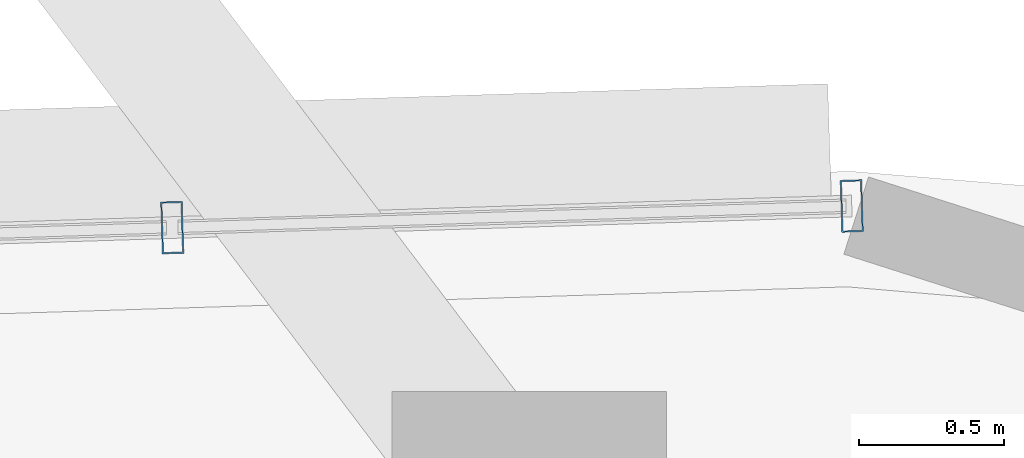
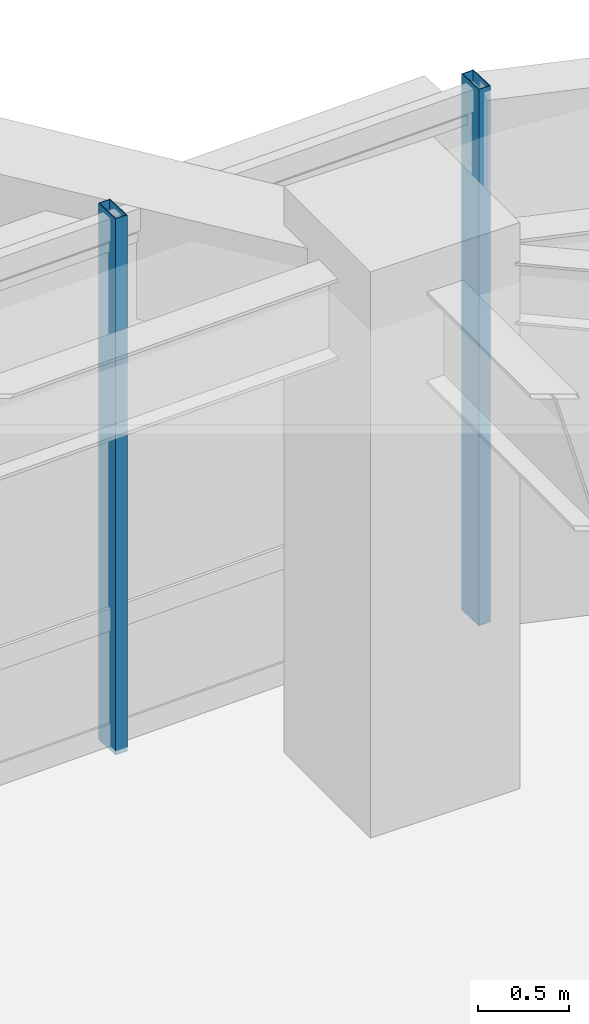
# One storey, part 4 of 12: 2 members, 1 element without a shape of its own.
"""IFC4 building model written with IfcOpenShell, lengths in metres."""

from ifc_helpers import new_model, si_unit, direction, frame, origin, origin_2d, place, context, subcontext, project, spatial, hollow_rectangle, extrude, material, material_profile, profile_set, type_object, element, aggregate, save


model = new_model("IFC4")

# Units and contexts
model_context = context("Model", 3, precision=1e-05, world=origin(), true_north=direction((0.0, 1.0)))
body_context = subcontext(model_context, "Body", "Model", "MODEL_VIEW")
ifc_project = project(units=[si_unit("LENGTHUNIT", "METRE"), si_unit("AREAUNIT", "SQUARE_METRE"), si_unit("VOLUMEUNIT", "CUBIC_METRE"), si_unit("PLANEANGLEUNIT", "RADIAN"), si_unit("MASSUNIT", "GRAM", prefix="KILO")], contexts=[model_context])

# Site, building, storey
site_placement = place(None, origin())
site = spatial("IfcSite", under=ifc_project, at=site_placement, CompositionType="ELEMENT")
building_placement = place(site_placement, origin())
building = spatial("IfcBuilding", under=site, at=building_placement, Name="Zulverin Broadcast Headquarters", CompositionType="ELEMENT")
storey_placement = place(building_placement, frame((0.0, 0.0, 170.60009765625)))
storey = spatial("IfcBuildingStorey", under=building, at=storey_placement, Name="L43", CompositionType="ELEMENT", Elevation=170.60009765625)

# Curtain wall, members
ifc_material_1 = material(Name="Waist wind-pressure unitised curtain wall", Category="aluminium")
curtain_wall_type = type_object("IfcCurtainWallType", Name="CW-TWR-WST", PredefinedType="USERDEFINED", material=ifc_material_1)
curtain_wall_placement = place(storey_placement, origin())
curtain_wall = element("IfcCurtainWall", 1, at=curtain_wall_placement, inside=storey, type_object=curtain_wall_type, Name="L43 Unitised Curtain Wall CW-L43-E5", ObjectType="UNITISED CURTAIN WALL", PredefinedType="USERDEFINED")
ifc_material_2 = material(Name="Anodized pale-metal aluminium alloy 6063-T6", Category="aluminium")
ifc_material_profile = material_profile(ifc_material_2, hollow_rectangle(XDim=0.074951171875, YDim=0.179931640625, WallThickness=0.0048828125, at=origin_2d()), Name="Anodized pale-metal aluminium alloy 6063-T6", Category="aluminium")
ifc_profile_set = profile_set([ifc_material_profile], Name="Anodized pale-metal aluminium alloy 6063-T6")
member_type = type_object("IfcMemberType", Name="CW-MUL-180", PredefinedType="MULLION", material=ifc_profile_set)
member_1_placement = place(storey_placement, frame((46.142578125, 47.839599609375, -0.030029296875), z_axis=(0.0, 0.0, 1.0), x_axis=(-0.999497141269, -0.031709061709, 0.0)))
member_1 = element("IfcMember", 2, at=member_1_placement, type_object=member_type, Name="CW-L43-E5 Mullion 00", PredefinedType="MULLION", context=body_context, shape_type="SweptSolid", body=[
    extrude(hollow_rectangle(XDim=0.074951171875, YDim=0.179931640625, WallThickness=0.0048828125, at=origin_2d()), origin(), (0.0, 0.0, 1.0), 3.599853515625),
])
member_2_placement = place(storey_placement, frame((43.79345703125, 47.764892578125, -0.030029296875), z_axis=(0.0, 0.0, 1.0), x_axis=(-0.999497141269, -0.031709061709, 0.0)))
member_2 = element("IfcMember", 3, at=member_2_placement, type_object=member_type, Name="CW-L43-E5 Mullion 01", PredefinedType="MULLION", context=body_context, shape_type="SweptSolid", body=[
    extrude(hollow_rectangle(XDim=0.074951171875, YDim=0.179931640625, WallThickness=0.0048828125, at=origin_2d()), origin(), (0.0, 0.0, 1.0), 3.599853515625),
])
aggregate(curtain_wall, [member_1, member_2])

save(model, "model.ifc")
